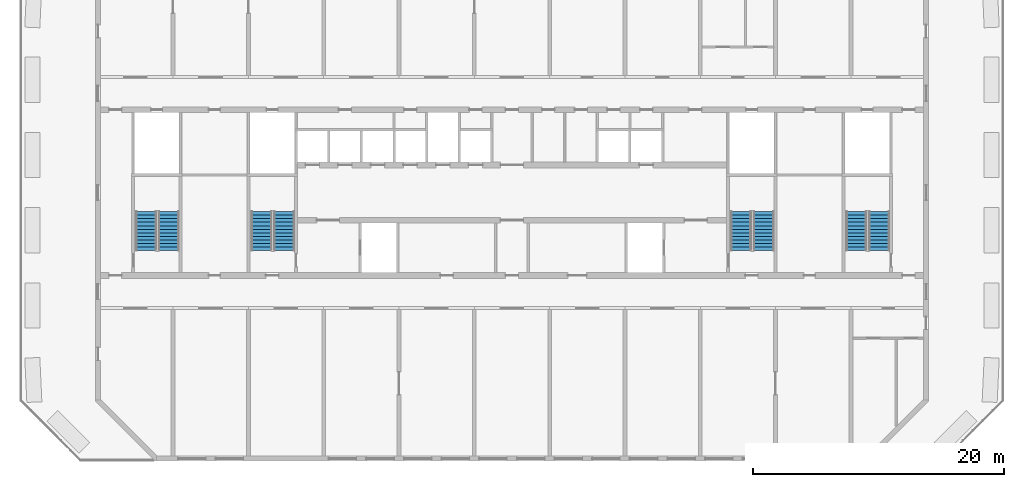
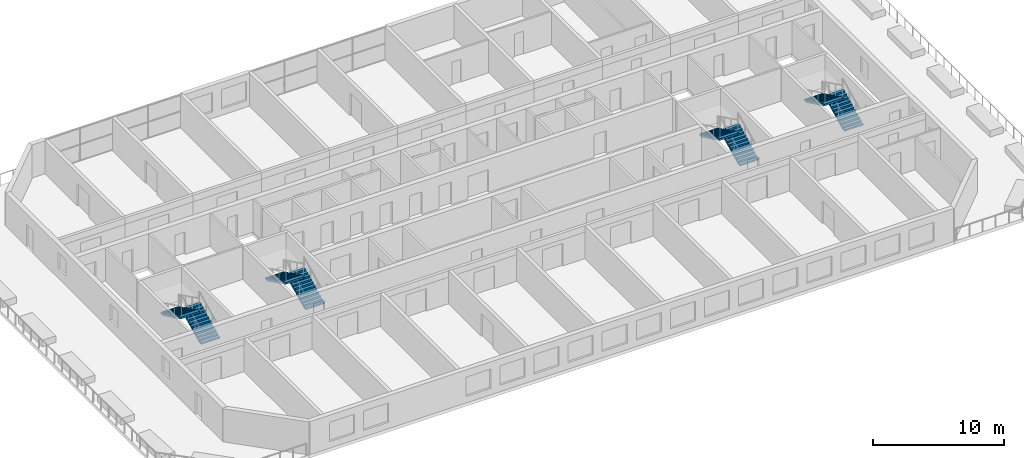
# One storey, part 10 of 14: 8 stair flights, 4 elements without a shape of their own.
"""IFC4 building model written with IfcOpenShell, lengths in metres."""

from ifc_helpers import new_model, si_unit, direction, frame, origin, place, context, subcontext, project, spatial, polyline, outline, extrude, material, layer, layer_set, type_object, element, aggregate, save


model = new_model("IFC4")

# Units and contexts
model_context = context("Model", 3, precision=1e-05, world=origin(), true_north=direction((0.0, 1.0)))
body_context = subcontext(model_context, "Body", "Model", "MODEL_VIEW")
ifc_project = project(units=[si_unit("LENGTHUNIT", "METRE"), si_unit("AREAUNIT", "SQUARE_METRE"), si_unit("VOLUMEUNIT", "CUBIC_METRE"), si_unit("PLANEANGLEUNIT", "RADIAN"), si_unit("MASSUNIT", "GRAM", prefix="KILO")], contexts=[model_context])

# Site, building, storey
site_placement = place(None, origin())
site = spatial("IfcSite", under=ifc_project, at=site_placement, CompositionType="ELEMENT")
building_placement = place(site_placement, origin())
building = spatial("IfcBuilding", under=site, at=building_placement, Name="Poui Terraces", CompositionType="ELEMENT")
storey_placement = place(building_placement, frame((0.0, 0.0, 158.699951171875)))
storey = spatial("IfcBuildingStorey", under=building, at=storey_placement, Name="L44", CompositionType="ELEMENT", Elevation=158.699951171875)

# Stair, stair flights
ifc_material = material(Name="Concrete 65 MPa", Category="concrete")
stair_type = type_object("IfcStairType", Name="EXIT STAIR 1650 65 MPA", PredefinedType="HALF_TURN_STAIR", material=ifc_material)
stair_1_placement = place(storey_placement, origin())
stair_1 = element("IfcStair", 1, at=stair_1_placement, inside=storey, type_object=stair_type, Name="L44 CORE STAIR EAST", PredefinedType="HALF_TURN_STAIR")
ifc_layer = layer(ifc_material, 0.14990234375)
ifc_layer_set = layer_set([ifc_layer], Name="Concrete 65 MPa")
stair_flight_type = type_object("IfcStairFlightType", Name="STAIR FLIGHT 12 RISERS 138 RISE 65 MPA", PredefinedType="STRAIGHT", material=ifc_layer_set)
stair_flight_1_placement = place(storey_placement, frame((71.050048828125, 16.60009765625, 0.0), z_axis=(0.0, 0.0, 1.0), x_axis=(0.0, 1.0, 0.0)))
stair_flight_1 = element("IfcStairFlight", 2, at=stair_flight_1_placement, type_object=stair_flight_type, Name="ST-CE flight 1", NumberOfRisers=12, NumberOfTreads=11, PredefinedType="STRAIGHT", RiserHeight=0.1375, TreadLength=0.28, context=body_context, shape_type="SweptSolid", body=[
    extrude(outline(polyline([(0.0, 0.0), (0.0, 0.137451171875), (0.280029296875, 0.137451171875), (0.280029296875, 0.27490234375), (0.56005859375, 0.27490234375), (0.56005859375, 0.41259765625), (0.840087890625, 0.41259765625), (0.840087890625, 0.550048828125), (1.1201171875, 0.550048828125), (1.1201171875, 0.6875), (1.39990234375, 0.6875), (1.39990234375, 0.824951171875), (1.679931640625, 0.824951171875), (1.679931640625, 0.96240234375), (1.9599609375, 0.96240234375), (1.9599609375, 1.10009765625), (2.239990234375, 1.10009765625), (2.239990234375, 1.237548828125), (2.52001953125, 1.237548828125), (2.52001953125, 1.375), (2.800048828125, 1.375), (2.800048828125, 1.512451171875), (3.080078125, 1.512451171875), (3.080078125, 1.64990234375), (3.080078125, 1.345458984375), (0.340087890625, 0.0), (0.0, 0.0)])), frame((0.0, 0.824951171875, 0.0), z_axis=(0.0, -1.0, 0.0), x_axis=(1.0, 0.0, 0.0)), (0.0, 0.0, 1.0), 1.64990234375),
])
stair_flight_2_placement = place(storey_placement, frame((69.25, 19.679931640625, 1.650146484375), z_axis=(0.0, 0.0, 1.0), x_axis=(0.0, -1.0, 0.0)))
stair_flight_2 = element("IfcStairFlight", 3, at=stair_flight_2_placement, type_object=stair_flight_type, Name="ST-CE flight 2", NumberOfRisers=12, NumberOfTreads=11, PredefinedType="STRAIGHT", RiserHeight=0.1375, TreadLength=0.28, context=body_context, shape_type="SweptSolid", body=[
    extrude(outline(polyline([(0.0, 0.0), (0.0, 0.137451171875), (0.280029296875, 0.137451171875), (0.280029296875, 0.27490234375), (0.56005859375, 0.27490234375), (0.56005859375, 0.41259765625), (0.840087890625, 0.41259765625), (0.840087890625, 0.550048828125), (1.1201171875, 0.550048828125), (1.1201171875, 0.6875), (1.39990234375, 0.6875), (1.39990234375, 0.824951171875), (1.679931640625, 0.824951171875), (1.679931640625, 0.96240234375), (1.9599609375, 0.96240234375), (1.9599609375, 1.10009765625), (2.239990234375, 1.10009765625), (2.239990234375, 1.237548828125), (2.52001953125, 1.237548828125), (2.52001953125, 1.375), (2.800048828125, 1.375), (2.800048828125, 1.512451171875), (3.080078125, 1.512451171875), (3.080078125, 1.64990234375), (3.080078125, 1.345458984375), (0.340087890625, 0.0), (0.0, 0.0)])), frame((0.0, 0.824951171875, 0.0), z_axis=(0.0, -1.0, 0.0), x_axis=(1.0, 0.0, 0.0)), (0.0, 0.0, 1.0), 1.64990234375),
])
aggregate(stair_1, [stair_flight_1, stair_flight_2])

stair_2_placement = place(storey_placement, origin())
stair_2 = element("IfcStair", 4, at=stair_2_placement, inside=storey, type_object=stair_type, Name="L44 CORE STAIR WEST", PredefinedType="HALF_TURN_STAIR")
stair_flight_3_placement = place(storey_placement, frame((32.85009765625, 16.60009765625, 0.0), z_axis=(0.0, 0.0, 1.0), x_axis=(0.0, 1.0, 0.0)))
stair_flight_3 = element("IfcStairFlight", 5, at=stair_flight_3_placement, type_object=stair_flight_type, Name="ST-CW flight 1", NumberOfRisers=12, NumberOfTreads=11, PredefinedType="STRAIGHT", RiserHeight=0.1375, TreadLength=0.28, context=body_context, shape_type="SweptSolid", body=[
    extrude(outline(polyline([(0.0, 0.0), (0.0, 0.137451171875), (0.280029296875, 0.137451171875), (0.280029296875, 0.27490234375), (0.56005859375, 0.27490234375), (0.56005859375, 0.41259765625), (0.840087890625, 0.41259765625), (0.840087890625, 0.550048828125), (1.1201171875, 0.550048828125), (1.1201171875, 0.6875), (1.39990234375, 0.6875), (1.39990234375, 0.824951171875), (1.679931640625, 0.824951171875), (1.679931640625, 0.96240234375), (1.9599609375, 0.96240234375), (1.9599609375, 1.10009765625), (2.239990234375, 1.10009765625), (2.239990234375, 1.237548828125), (2.52001953125, 1.237548828125), (2.52001953125, 1.375), (2.800048828125, 1.375), (2.800048828125, 1.512451171875), (3.080078125, 1.512451171875), (3.080078125, 1.64990234375), (3.080078125, 1.345458984375), (0.340087890625, 0.0), (0.0, 0.0)])), frame((0.0, 0.824951171875, 0.0), z_axis=(0.0, -1.0, 0.0), x_axis=(1.0, 0.0, 0.0)), (0.0, 0.0, 1.0), 1.64990234375),
])
stair_flight_4_placement = place(storey_placement, frame((31.050048828125, 19.679931640625, 1.650146484375), z_axis=(0.0, 0.0, 1.0), x_axis=(0.0, -1.0, 0.0)))
stair_flight_4 = element("IfcStairFlight", 6, at=stair_flight_4_placement, type_object=stair_flight_type, Name="ST-CW flight 2", NumberOfRisers=12, NumberOfTreads=11, PredefinedType="STRAIGHT", RiserHeight=0.1375, TreadLength=0.28, context=body_context, shape_type="SweptSolid", body=[
    extrude(outline(polyline([(0.0, 0.0), (0.0, 0.137451171875), (0.280029296875, 0.137451171875), (0.280029296875, 0.27490234375), (0.56005859375, 0.27490234375), (0.56005859375, 0.41259765625), (0.840087890625, 0.41259765625), (0.840087890625, 0.550048828125), (1.1201171875, 0.550048828125), (1.1201171875, 0.6875), (1.39990234375, 0.6875), (1.39990234375, 0.824951171875), (1.679931640625, 0.824951171875), (1.679931640625, 0.96240234375), (1.9599609375, 0.96240234375), (1.9599609375, 1.10009765625), (2.239990234375, 1.10009765625), (2.239990234375, 1.237548828125), (2.52001953125, 1.237548828125), (2.52001953125, 1.375), (2.800048828125, 1.375), (2.800048828125, 1.512451171875), (3.080078125, 1.512451171875), (3.080078125, 1.64990234375), (3.080078125, 1.345458984375), (0.340087890625, 0.0), (0.0, 0.0)])), frame((0.0, 0.824951171875, 0.0), z_axis=(0.0, -1.0, 0.0), x_axis=(1.0, 0.0, 0.0)), (0.0, 0.0, 1.0), 1.64990234375),
])
aggregate(stair_2, [stair_flight_3, stair_flight_4])

stair_3_placement = place(storey_placement, origin())
stair_3 = element("IfcStair", 7, at=stair_3_placement, inside=storey, type_object=stair_type, Name="L44 TIP STAIR EAST", PredefinedType="HALF_TURN_STAIR")
stair_flight_5_placement = place(storey_placement, frame((80.25, 16.60009765625, 0.0), z_axis=(0.0, 0.0, 1.0), x_axis=(0.0, 1.0, 0.0)))
stair_flight_5 = element("IfcStairFlight", 8, at=stair_flight_5_placement, type_object=stair_flight_type, Name="ST-E flight 1", NumberOfRisers=12, NumberOfTreads=11, PredefinedType="STRAIGHT", RiserHeight=0.1375, TreadLength=0.28, context=body_context, shape_type="SweptSolid", body=[
    extrude(outline(polyline([(0.0, 0.0), (0.0, 0.137451171875), (0.280029296875, 0.137451171875), (0.280029296875, 0.27490234375), (0.56005859375, 0.27490234375), (0.56005859375, 0.41259765625), (0.840087890625, 0.41259765625), (0.840087890625, 0.550048828125), (1.1201171875, 0.550048828125), (1.1201171875, 0.6875), (1.39990234375, 0.6875), (1.39990234375, 0.824951171875), (1.679931640625, 0.824951171875), (1.679931640625, 0.96240234375), (1.9599609375, 0.96240234375), (1.9599609375, 1.10009765625), (2.239990234375, 1.10009765625), (2.239990234375, 1.237548828125), (2.52001953125, 1.237548828125), (2.52001953125, 1.375), (2.800048828125, 1.375), (2.800048828125, 1.512451171875), (3.080078125, 1.512451171875), (3.080078125, 1.64990234375), (3.080078125, 1.345458984375), (0.340087890625, 0.0), (0.0, 0.0)])), frame((0.0, 0.824951171875, 0.0), z_axis=(0.0, -1.0, 0.0), x_axis=(1.0, 0.0, 0.0)), (0.0, 0.0, 1.0), 1.64990234375),
])
stair_flight_6_placement = place(storey_placement, frame((78.449951171875, 19.679931640625, 1.650146484375), z_axis=(0.0, 0.0, 1.0), x_axis=(0.0, -1.0, 0.0)))
stair_flight_6 = element("IfcStairFlight", 9, at=stair_flight_6_placement, type_object=stair_flight_type, Name="ST-E flight 2", NumberOfRisers=12, NumberOfTreads=11, PredefinedType="STRAIGHT", RiserHeight=0.1375, TreadLength=0.28, context=body_context, shape_type="SweptSolid", body=[
    extrude(outline(polyline([(0.0, 0.0), (0.0, 0.137451171875), (0.280029296875, 0.137451171875), (0.280029296875, 0.27490234375), (0.56005859375, 0.27490234375), (0.56005859375, 0.41259765625), (0.840087890625, 0.41259765625), (0.840087890625, 0.550048828125), (1.1201171875, 0.550048828125), (1.1201171875, 0.6875), (1.39990234375, 0.6875), (1.39990234375, 0.824951171875), (1.679931640625, 0.824951171875), (1.679931640625, 0.96240234375), (1.9599609375, 0.96240234375), (1.9599609375, 1.10009765625), (2.239990234375, 1.10009765625), (2.239990234375, 1.237548828125), (2.52001953125, 1.237548828125), (2.52001953125, 1.375), (2.800048828125, 1.375), (2.800048828125, 1.512451171875), (3.080078125, 1.512451171875), (3.080078125, 1.64990234375), (3.080078125, 1.345458984375), (0.340087890625, 0.0), (0.0, 0.0)])), frame((0.0, 0.824951171875, 0.0), z_axis=(0.0, -1.0, 0.0), x_axis=(1.0, 0.0, 0.0)), (0.0, 0.0, 1.0), 1.64990234375),
])
aggregate(stair_3, [stair_flight_5, stair_flight_6])

stair_4_placement = place(storey_placement, origin())
stair_4 = element("IfcStair", 10, at=stair_4_placement, inside=storey, type_object=stair_type, Name="L44 TIP STAIR WEST", PredefinedType="HALF_TURN_STAIR")
stair_flight_7_placement = place(storey_placement, frame((23.64990234375, 16.60009765625, 0.0), z_axis=(0.0, 0.0, 1.0), x_axis=(0.0, 1.0, 0.0)))
stair_flight_7 = element("IfcStairFlight", 11, at=stair_flight_7_placement, type_object=stair_flight_type, Name="ST-W flight 1", NumberOfRisers=12, NumberOfTreads=11, PredefinedType="STRAIGHT", RiserHeight=0.1375, TreadLength=0.28, context=body_context, shape_type="SweptSolid", body=[
    extrude(outline(polyline([(0.0, 0.0), (0.0, 0.137451171875), (0.280029296875, 0.137451171875), (0.280029296875, 0.27490234375), (0.56005859375, 0.27490234375), (0.56005859375, 0.41259765625), (0.840087890625, 0.41259765625), (0.840087890625, 0.550048828125), (1.1201171875, 0.550048828125), (1.1201171875, 0.6875), (1.39990234375, 0.6875), (1.39990234375, 0.824951171875), (1.679931640625, 0.824951171875), (1.679931640625, 0.96240234375), (1.9599609375, 0.96240234375), (1.9599609375, 1.10009765625), (2.239990234375, 1.10009765625), (2.239990234375, 1.237548828125), (2.52001953125, 1.237548828125), (2.52001953125, 1.375), (2.800048828125, 1.375), (2.800048828125, 1.512451171875), (3.080078125, 1.512451171875), (3.080078125, 1.64990234375), (3.080078125, 1.345458984375), (0.340087890625, 0.0), (0.0, 0.0)])), frame((0.0, 0.824951171875, 0.0), z_axis=(0.0, -1.0, 0.0), x_axis=(1.0, 0.0, 0.0)), (0.0, 0.0, 1.0), 1.64990234375),
])
stair_flight_8_placement = place(storey_placement, frame((21.85009765625, 19.679931640625, 1.650146484375), z_axis=(0.0, 0.0, 1.0), x_axis=(0.0, -1.0, 0.0)))
stair_flight_8 = element("IfcStairFlight", 12, at=stair_flight_8_placement, type_object=stair_flight_type, Name="ST-W flight 2", NumberOfRisers=12, NumberOfTreads=11, PredefinedType="STRAIGHT", RiserHeight=0.1375, TreadLength=0.28, context=body_context, shape_type="SweptSolid", body=[
    extrude(outline(polyline([(0.0, 0.0), (0.0, 0.137451171875), (0.280029296875, 0.137451171875), (0.280029296875, 0.27490234375), (0.56005859375, 0.27490234375), (0.56005859375, 0.41259765625), (0.840087890625, 0.41259765625), (0.840087890625, 0.550048828125), (1.1201171875, 0.550048828125), (1.1201171875, 0.6875), (1.39990234375, 0.6875), (1.39990234375, 0.824951171875), (1.679931640625, 0.824951171875), (1.679931640625, 0.96240234375), (1.9599609375, 0.96240234375), (1.9599609375, 1.10009765625), (2.239990234375, 1.10009765625), (2.239990234375, 1.237548828125), (2.52001953125, 1.237548828125), (2.52001953125, 1.375), (2.800048828125, 1.375), (2.800048828125, 1.512451171875), (3.080078125, 1.512451171875), (3.080078125, 1.64990234375), (3.080078125, 1.345458984375), (0.340087890625, 0.0), (0.0, 0.0)])), frame((0.0, 0.824951171875, 0.0), z_axis=(0.0, -1.0, 0.0), x_axis=(1.0, 0.0, 0.0)), (0.0, 0.0, 1.0), 1.64990234375),
])
aggregate(stair_4, [stair_flight_7, stair_flight_8])

save(model, "model.ifc")
